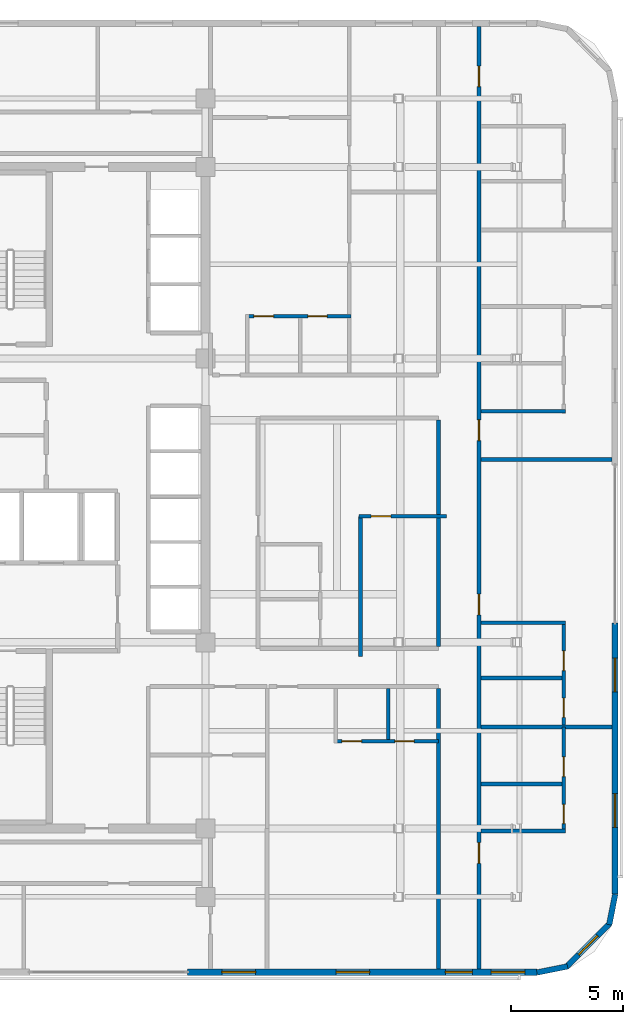
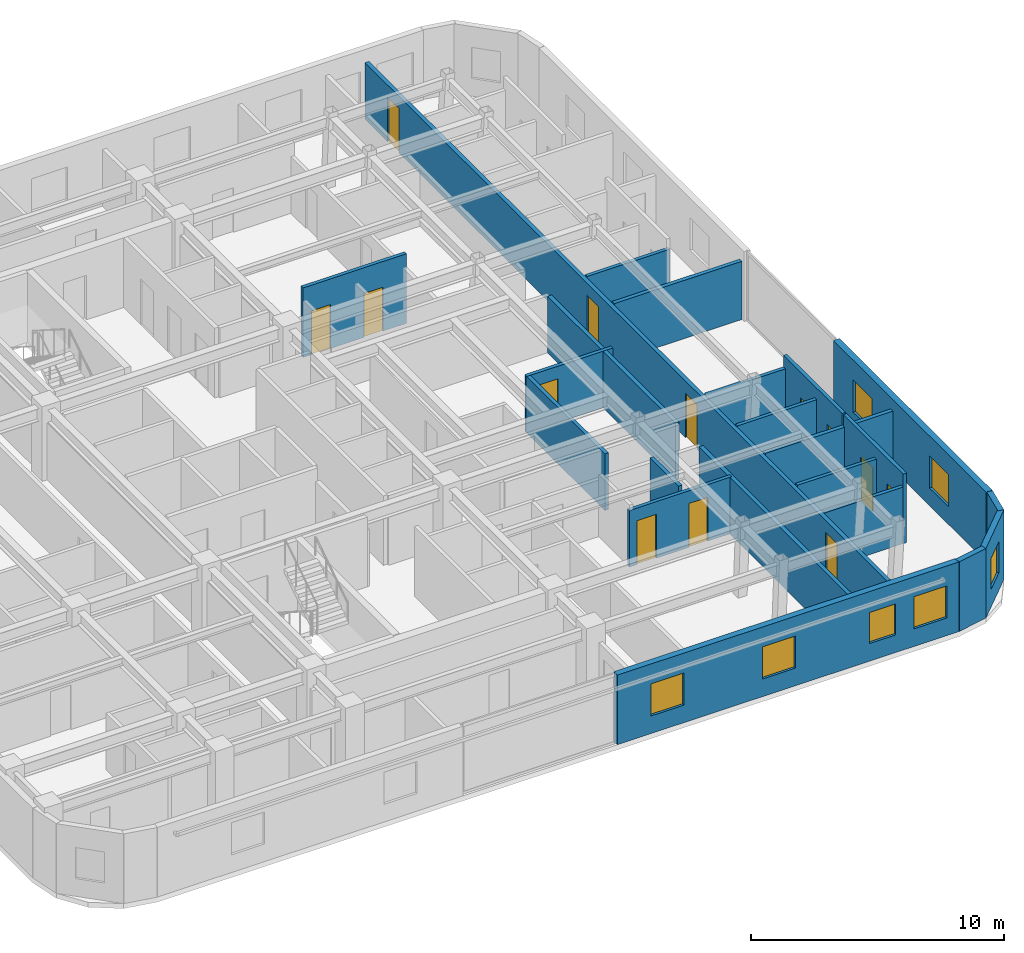
# One storey, part 8 of 14: 22 walls, 13 doors, 7 windows, 20 openings.
"""IFC4 building model written with IfcOpenShell, lengths in metres."""

from ifc_helpers import new_model, si_unit, direction, frame, frame_2d, origin, place, context, subcontext, project, spatial, rectangle, extrude, material, layer, layer_set, type_object, element, fill, save


model = new_model("IFC4")

# Units and contexts
model_context = context("Model", 3, precision=1e-05, world=origin(), true_north=direction((0.0, 1.0)))
body_context = subcontext(model_context, "Body", "Model", "MODEL_VIEW")
ifc_project = project(units=[si_unit("LENGTHUNIT", "METRE"), si_unit("AREAUNIT", "SQUARE_METRE"), si_unit("VOLUMEUNIT", "CUBIC_METRE"), si_unit("PLANEANGLEUNIT", "RADIAN"), si_unit("MASSUNIT", "GRAM", prefix="KILO")], contexts=[model_context])

# Site, building, storey
site_placement = place(None, origin())
site = spatial("IfcSite", under=ifc_project, at=site_placement, CompositionType="ELEMENT")
building_placement = place(site_placement, origin())
building = spatial("IfcBuilding", under=site, at=building_placement, Name="Ochreholt Gables", CompositionType="ELEMENT")
storey_placement = place(building_placement, frame((0.0, 0.0, 109.800048828125)))
storey = spatial("IfcBuildingStorey", under=building, at=storey_placement, Name="L28", CompositionType="ELEMENT", Elevation=109.800048828125)

# Wall, openings, windows
ifc_material_1 = material(Name="Precast concrete 40 MPa", Category="concrete")
ifc_layer_1 = layer(ifc_material_1, 0.280029296875, Name="Precast concrete 40 MPa")
ifc_layer_set_1 = layer_set([ifc_layer_1], Name="Precast concrete 40 MPa")
wall_type_1 = type_object("IfcWallType", Name="WALL-EXT-280", PredefinedType="SOLIDWALL", material=ifc_layer_set_1)
wall_1_placement = place(storey_placement, frame((34.39990234375, 2.840087890625, 0.0), z_axis=(0.0, 0.0, 1.0), x_axis=(1.0, 0.0, 0.0)))
wall_1 = element("IfcWall", 1, at=wall_1_placement, inside=storey, type_object=wall_type_1, Name="L28 South Facade Wall 2", PredefinedType="SOLIDWALL", context=body_context, shape_type="SweptSolid", body=[
    extrude(rectangle(XDim=15.580078125, YDim=0.280029296875, at=frame_2d((7.7900390625, 0.0))), origin(), (0.0, 0.0, 1.0), 3.35986328125),
])
opening_1_placement = place(wall_1_placement, frame((1.534912109375, 0.0, 0.85009765625)))
opening_1 = element("IfcOpeningElement", 2, at=opening_1_placement, cuts=wall_1, Name="Opening WN-2", PredefinedType="OPENING", context=body_context, shape_type="SweptSolid", body=[
    extrude(rectangle(XDim=1.5, YDim=1.550048828125, at=frame_2d((0.75, 0.77490234375))), frame((0.0, 0.14990234375, 0.0), z_axis=(0.0, -1.0, 0.0), x_axis=(1.0, 0.0, 0.0)), (0.0, 0.0, 1.0), 0.300048828125),
])
opening_2_placement = place(wall_1_placement, frame((6.625, 0.0, 0.85009765625)))
opening_2 = element("IfcOpeningElement", 3, at=opening_2_placement, cuts=wall_1, Name="Opening WN-2", PredefinedType="OPENING", context=body_context, shape_type="SweptSolid", body=[
    extrude(rectangle(XDim=1.5, YDim=1.550048828125, at=frame_2d((0.75, 0.77490234375))), frame((0.0, 0.14990234375, 0.0), z_axis=(0.0, -1.0, 0.0), x_axis=(1.0, 0.0, 0.0)), (0.0, 0.0, 1.0), 0.300048828125),
])
opening_3_placement = place(wall_1_placement, frame((11.5, 0.0, 0.85009765625)))
opening_3 = element("IfcOpeningElement", 4, at=opening_3_placement, cuts=wall_1, Name="Opening WN-3", PredefinedType="OPENING", context=body_context, shape_type="SweptSolid", body=[
    extrude(rectangle(XDim=1.199951171875, YDim=1.5, at=frame_2d((0.60009765625, 0.75))), frame((0.0, 0.14990234375, 0.0), z_axis=(0.0, -1.0, 0.0), x_axis=(1.0, 0.0, 0.0)), (0.0, 0.0, 1.0), 0.300048828125),
])
opening_4_placement = place(wall_1_placement, frame((13.5400390625, 0.0, 0.85009765625)))
opening_4 = element("IfcOpeningElement", 5, at=opening_4_placement, cuts=wall_1, Name="Opening WN-2", PredefinedType="OPENING", context=body_context, shape_type="SweptSolid", body=[
    extrude(rectangle(XDim=1.5, YDim=1.550048828125, at=frame_2d((0.75, 0.77490234375))), frame((0.0, 0.14990234375, 0.0), z_axis=(0.0, -1.0, 0.0), x_axis=(1.0, 0.0, 0.0)), (0.0, 0.0, 1.0), 0.300048828125),
])
ifc_material_2 = material(Name="Triple-Glazed Thermally Broken Aluminium Window", Category="aluminium")
window_type_1 = type_object("IfcWindowType", Name="WIN-RES-1200", PartitioningType="SINGLE_PANEL", PredefinedType="WINDOW", material=ifc_material_2)
window_1_placement = place(opening_3_placement, origin())
window_1 = element("IfcWindow", 6, at=window_1_placement, inside=storey, type_object=window_type_1, Name="L28 Window W-EXT-S2-L28-3", OverallHeight=1.5, OverallWidth=1.199951171875, PartitioningType="SINGLE_PANEL", PredefinedType="WINDOW", context=body_context, shape_type="SweptSolid", body=[
    extrude(rectangle(XDim=1.199951171875, YDim=1.5, at=frame_2d((0.60009765625, 0.75))), frame((0.0, 0.030029296875, 0.0), z_axis=(0.0, -1.0, 0.0), x_axis=(1.0, 0.0, 0.0)), (0.0, 0.0, 1.0), 0.06005859375),
])
fill(opening_3, window_1)
window_type_2 = type_object("IfcWindowType", Name="WIN-RES-1500", PartitioningType="SINGLE_PANEL", PredefinedType="WINDOW", material=ifc_material_2)
window_2_placement = place(opening_1_placement, origin())
window_2 = element("IfcWindow", 7, at=window_2_placement, inside=storey, type_object=window_type_2, Name="L28 Window W-EXT-S2-L28-1", OverallHeight=1.550048828125, OverallWidth=1.5, PartitioningType="SINGLE_PANEL", PredefinedType="WINDOW", context=body_context, shape_type="SweptSolid", body=[
    extrude(rectangle(XDim=1.5, YDim=1.550048828125, at=frame_2d((0.75, 0.77490234375))), frame((0.0, 0.030029296875, 0.0), z_axis=(0.0, -1.0, 0.0), x_axis=(1.0, 0.0, 0.0)), (0.0, 0.0, 1.0), 0.06005859375),
])
fill(opening_1, window_2)
window_3_placement = place(opening_2_placement, origin())
window_3 = element("IfcWindow", 8, at=window_3_placement, inside=storey, type_object=window_type_2, Name="L28 Window W-EXT-S2-L28-2", OverallHeight=1.550048828125, OverallWidth=1.5, PartitioningType="SINGLE_PANEL", PredefinedType="WINDOW", context=body_context, shape_type="SweptSolid", body=[
    extrude(rectangle(XDim=1.5, YDim=1.550048828125, at=frame_2d((0.75, 0.77490234375))), frame((0.0, 0.030029296875, 0.0), z_axis=(0.0, -1.0, 0.0), x_axis=(1.0, 0.0, 0.0)), (0.0, 0.0, 1.0), 0.06005859375),
])
fill(opening_2, window_3)
window_4_placement = place(opening_4_placement, origin())
window_4 = element("IfcWindow", 9, at=window_4_placement, inside=storey, type_object=window_type_2, Name="L28 Window W-EXT-S2-L28-4", OverallHeight=1.550048828125, OverallWidth=1.5, PartitioningType="SINGLE_PANEL", PredefinedType="WINDOW", context=body_context, shape_type="SweptSolid", body=[
    extrude(rectangle(XDim=1.5, YDim=1.550048828125, at=frame_2d((0.75, 0.77490234375))), frame((0.0, 0.030029296875, 0.0), z_axis=(0.0, -1.0, 0.0), x_axis=(1.0, 0.0, 0.0)), (0.0, 0.0, 1.0), 0.06005859375),
])
fill(opening_4, window_4)

wall_2_placement = place(storey_placement, frame((53.4599609375, 6.320068359375, 0.0), z_axis=(0.0, 0.0, 1.0), x_axis=(0.0, 1.0, 0.0)))
wall_2 = element("IfcWall", 10, at=wall_2_placement, inside=storey, type_object=wall_type_1, Name="L28 East Facade Wall 1", PredefinedType="SOLIDWALL", context=body_context, shape_type="SweptSolid", body=[
    extrude(rectangle(XDim=12.079833984375, YDim=0.280029296875, at=frame_2d((6.0400390625, 0.0))), origin(), (0.0, 0.0, 1.0), 3.35986328125),
])
opening_5_placement = place(wall_2_placement, frame((2.97802734375, 0.0, 0.85009765625)))
opening_5 = element("IfcOpeningElement", 11, at=opening_5_placement, cuts=wall_2, Name="Opening WN-2", PredefinedType="OPENING", context=body_context, shape_type="SweptSolid", body=[
    extrude(rectangle(XDim=1.5, YDim=1.550048828125, at=frame_2d((0.75, 0.77490234375))), frame((0.0, 0.14990234375, 0.0), z_axis=(0.0, -1.0, 0.0), x_axis=(1.0, 0.0, 0.0)), (0.0, 0.0, 1.0), 0.300048828125),
])
opening_6_placement = place(wall_2_placement, frame((9.01806640625, 0.0, 0.85009765625)))
opening_6 = element("IfcOpeningElement", 12, at=opening_6_placement, cuts=wall_2, Name="Opening WN-2", PredefinedType="OPENING", context=body_context, shape_type="SweptSolid", body=[
    extrude(rectangle(XDim=1.5, YDim=1.550048828125, at=frame_2d((0.75, 0.77490234375))), frame((0.0, 0.14990234375, 0.0), z_axis=(0.0, -1.0, 0.0), x_axis=(1.0, 0.0, 0.0)), (0.0, 0.0, 1.0), 0.300048828125),
])
window_5_placement = place(opening_5_placement, origin())
window_5 = element("IfcWindow", 13, at=window_5_placement, inside=storey, type_object=window_type_2, Name="L28 Window W-EXT-E1-L28-1", OverallHeight=1.550048828125, OverallWidth=1.5, PartitioningType="SINGLE_PANEL", PredefinedType="WINDOW", context=body_context, shape_type="SweptSolid", body=[
    extrude(rectangle(XDim=1.5, YDim=1.550048828125, at=frame_2d((0.75, 0.77490234375))), frame((0.0, 0.030029296875, 0.0), z_axis=(0.0, -1.0, 0.0), x_axis=(1.0, 0.0, 0.0)), (0.0, 0.0, 1.0), 0.06005859375),
])
fill(opening_5, window_5)
window_6_placement = place(opening_6_placement, origin())
window_6 = element("IfcWindow", 14, at=window_6_placement, inside=storey, type_object=window_type_2, Name="L28 Window W-EXT-E1-L28-2", OverallHeight=1.550048828125, OverallWidth=1.5, PartitioningType="SINGLE_PANEL", PredefinedType="WINDOW", context=body_context, shape_type="SweptSolid", body=[
    extrude(rectangle(XDim=1.5, YDim=1.550048828125, at=frame_2d((0.75, 0.77490234375))), frame((0.0, 0.030029296875, 0.0), z_axis=(0.0, -1.0, 0.0), x_axis=(1.0, 0.0, 0.0)), (0.0, 0.0, 1.0), 0.06005859375),
])
fill(opening_6, window_6)

# Wall
ifc_layer_2 = layer(ifc_material_1, 0.25, Name="Precast concrete 40 MPa")
ifc_layer_set_2 = layer_set([ifc_layer_2], Name="Precast concrete 40 MPa")
wall_type_2 = type_object("IfcWallType", Name="WALL-EXT-CNR", PredefinedType="SOLIDWALL", material=ifc_layer_set_2)
wall_3_placement = place(storey_placement, frame((49.9833984375, 2.82421875, 0.0), z_axis=(0.0, 0.0, 1.0), x_axis=(0.980809899341, 0.19496651342, 0.0)))
element("IfcWall", 15, at=wall_3_placement, inside=storey, type_object=wall_type_2, Name="L28 Rounded Corner Wall SE-1", PredefinedType="SOLIDWALL", context=body_context, shape_type="SweptSolid", body=[
    extrude(rectangle(XDim=1.388671875, YDim=0.25, at=frame_2d((0.6943359375, 0.0))), origin(), (0.0, 0.0, 1.0), 3.35986328125),
])

# Wall, opening, window
wall_4_placement = place(storey_placement, frame((51.294921875, 3.068115234375, 0.0), z_axis=(0.0, 0.0, 1.0), x_axis=(0.707151344399, 0.707062215165, 0.0)))
wall_4 = element("IfcWall", 16, at=wall_4_placement, inside=storey, type_object=wall_type_2, Name="L28 Rounded Corner Wall SE-2", PredefinedType="SOLIDWALL", context=body_context, shape_type="SweptSolid", body=[
    extrude(rectangle(XDim=2.7392578125, YDim=0.25, at=frame_2d((1.36962890625, 0.0))), origin(), (0.0, 0.0, 1.0), 3.35986328125),
])
opening_7_placement = place(wall_4_placement, frame((0.769775390625, 0.0, 0.85009765625)))
opening_7 = element("IfcOpeningElement", 17, at=opening_7_placement, cuts=wall_4, Name="Opening WN-3", PredefinedType="OPENING", context=body_context, shape_type="SweptSolid", body=[
    extrude(rectangle(XDim=1.199951171875, YDim=1.5, at=frame_2d((0.60009765625, 0.75))), frame((0.0, 0.135009765625, 0.0), z_axis=(0.0, -1.0, 0.0), x_axis=(1.0, 0.0, 0.0)), (0.0, 0.0, 1.0), 0.27001953125),
])
window_7_placement = place(opening_7_placement, origin())
window_7 = element("IfcWindow", 18, at=window_7_placement, inside=storey, type_object=window_type_1, Name="L28 Corner Bedroom Window SE", OverallHeight=1.5, OverallWidth=1.199951171875, PartitioningType="SINGLE_PANEL", PredefinedType="WINDOW", context=body_context, shape_type="SweptSolid", body=[
    extrude(rectangle(XDim=1.199951171875, YDim=1.5, at=frame_2d((0.60009765625, 0.75))), frame((0.0, 0.030029296875, 0.0), z_axis=(0.0, -1.0, 0.0), x_axis=(1.0, 0.0, 0.0)), (0.0, 0.0, 1.0), 0.06005859375),
])
fill(opening_7, window_7)

# Wall
wall_5_placement = place(storey_placement, frame((53.205078125, 4.95458984375, 0.0), z_axis=(0.0, 0.0, 1.0), x_axis=(0.195000137217, 0.980803214965, 0.0)))
element("IfcWall", 19, at=wall_5_placement, inside=storey, type_object=wall_type_2, Name="L28 Rounded Corner Wall SE-3", PredefinedType="SOLIDWALL", context=body_context, shape_type="SweptSolid", body=[
    extrude(rectangle(XDim=1.388427734375, YDim=0.25, at=frame_2d((0.6943359375, 0.0))), origin(), (0.0, 0.0, 1.0), 3.35986328125),
])

# Wall, openings, doors
ifc_material_3 = material(Name="Fire-Rated Gypsum Acoustic Partition", Category="gypsum")
ifc_layer_3 = layer(ifc_material_3, 0.179931640625, Name="Fire-Rated Gypsum Acoustic Partition")
ifc_layer_set_3 = layer_set([ifc_layer_3], Name="Fire-Rated Gypsum Acoustic Partition")
wall_type_3 = type_object("IfcWallType", Name="WALL-INT-CR180", PredefinedType="STANDARD", material=ifc_layer_set_3)
wall_6_placement = place(storey_placement, frame((47.39990234375, 2.97998046875, 0.0), z_axis=(0.0, 0.0, 1.0), x_axis=(0.0, 1.0, 0.0)))
wall_6 = element("IfcWall", 20, at=wall_6_placement, inside=storey, type_object=wall_type_3, Name="L28 Interior Wall WI-C2FEG-L28", PredefinedType="STANDARD", context=body_context, shape_type="SweptSolid", body=[
    extrude(rectangle(XDim=42.0400390625, YDim=0.179931640625, at=frame_2d((21.02001953125, 0.0))), origin(), (0.0, 0.0, 1.0), 2.73095703125),
])
opening_8_placement = place(wall_6_placement, frame((4.716064453125, 0.0, 0.0)))
opening_8 = element("IfcOpeningElement", 21, at=opening_8_placement, cuts=wall_6, Name="Opening D-UN1", PredefinedType="OPENING", context=body_context, shape_type="SweptSolid", body=[
    extrude(rectangle(XDim=0.919921875, YDim=2.14990234375, at=frame_2d((0.4599609375, 1.074951171875))), frame((0.0, 0.099853515625, 0.0), z_axis=(0.0, -1.0, 0.0), x_axis=(1.0, 0.0, 0.0)), (0.0, 0.0, 1.0), 0.199951171875),
])
opening_9_placement = place(wall_6_placement, frame((15.7958984375, 0.0, 0.0)))
opening_9 = element("IfcOpeningElement", 22, at=opening_9_placement, cuts=wall_6, Name="Opening D-UN1", PredefinedType="OPENING", context=body_context, shape_type="SweptSolid", body=[
    extrude(rectangle(XDim=0.919921875, YDim=2.14990234375, at=frame_2d((0.4599609375, 1.074951171875))), frame((0.0, 0.099853515625, 0.0), z_axis=(0.0, -1.0, 0.0), x_axis=(1.0, 0.0, 0.0)), (0.0, 0.0, 1.0), 0.199951171875),
])
opening_10_placement = place(wall_6_placement, frame((23.56494140625, 0.0, 0.0)))
opening_10 = element("IfcOpeningElement", 23, at=opening_10_placement, cuts=wall_6, Name="Opening D-UN1", PredefinedType="OPENING", context=body_context, shape_type="SweptSolid", body=[
    extrude(rectangle(XDim=0.919921875, YDim=2.14990234375, at=frame_2d((0.4599609375, 1.074951171875))), frame((0.0, 0.099853515625, 0.0), z_axis=(0.0, -1.0, 0.0), x_axis=(1.0, 0.0, 0.0)), (0.0, 0.0, 1.0), 0.199951171875),
])
opening_11_placement = place(wall_6_placement, frame((39.347900390625, 0.0, 0.0)))
opening_11 = element("IfcOpeningElement", 24, at=opening_11_placement, cuts=wall_6, Name="Opening D-UN1", PredefinedType="OPENING", context=body_context, shape_type="SweptSolid", body=[
    extrude(rectangle(XDim=0.919921875, YDim=2.14990234375, at=frame_2d((0.4599609375, 1.074951171875))), frame((0.0, 0.099853515625, 0.0), z_axis=(0.0, -1.0, 0.0), x_axis=(1.0, 0.0, 0.0)), (0.0, 0.0, 1.0), 0.199951171875),
])
ifc_material_4 = material(Name="Engineered Oak Timber", Category="wood")
door_type_1 = type_object("IfcDoorType", Name="DR-INT-UNT920", OperationType="NOTDEFINED", PredefinedType="DOOR", material=ifc_material_4)
door_1_placement = place(opening_8_placement, origin())
door_1 = element("IfcDoor", 25, at=door_1_placement, inside=storey, type_object=door_type_1, Name="L28 Door D-U-L28FE1-ENT", OperationType="SINGLE_SWING_LEFT", OverallHeight=2.14990234375, OverallWidth=0.919921875, PredefinedType="DOOR", context=body_context, shape_type="SweptSolid", body=[
    extrude(rectangle(XDim=0.919921875, YDim=2.14990234375, at=frame_2d((0.4599609375, 1.074951171875))), frame((0.0, 0.02490234375, 0.0), z_axis=(0.0, -1.0, 0.0), x_axis=(1.0, 0.0, 0.0)), (0.0, 0.0, 1.0), 0.050048828125),
])
fill(opening_8, door_1)
door_2_placement = place(opening_9_placement, origin())
door_2 = element("IfcDoor", 26, at=door_2_placement, inside=storey, type_object=door_type_1, Name="L28 Door D-U-L28FE2-ENT", OperationType="SINGLE_SWING_RIGHT", OverallHeight=2.14990234375, OverallWidth=0.919921875, PredefinedType="DOOR", context=body_context, shape_type="SweptSolid", body=[
    extrude(rectangle(XDim=0.919921875, YDim=2.14990234375, at=frame_2d((0.4599609375, 1.074951171875))), frame((0.0, 0.02490234375, 0.0), z_axis=(0.0, -1.0, 0.0), x_axis=(1.0, 0.0, 0.0)), (0.0, 0.0, 1.0), 0.050048828125),
])
fill(opening_9, door_2)
door_3_placement = place(opening_10_placement, origin())
door_3 = element("IfcDoor", 27, at=door_3_placement, inside=storey, type_object=door_type_1, Name="L28 Door D-U-L28FE3-ENT", OperationType="SINGLE_SWING_LEFT", OverallHeight=2.14990234375, OverallWidth=0.919921875, PredefinedType="DOOR", context=body_context, shape_type="SweptSolid", body=[
    extrude(rectangle(XDim=0.919921875, YDim=2.14990234375, at=frame_2d((0.4599609375, 1.074951171875))), frame((0.0, 0.02490234375, 0.0), z_axis=(0.0, -1.0, 0.0), x_axis=(1.0, 0.0, 0.0)), (0.0, 0.0, 1.0), 0.050048828125),
])
fill(opening_10, door_3)
door_4_placement = place(opening_11_placement, origin())
door_4 = element("IfcDoor", 28, at=door_4_placement, inside=storey, type_object=door_type_1, Name="L28 Door D-U-L28FE4-ENT", OperationType="SINGLE_SWING_RIGHT", OverallHeight=2.14990234375, OverallWidth=0.919921875, PredefinedType="DOOR", context=body_context, shape_type="SweptSolid", body=[
    extrude(rectangle(XDim=0.919921875, YDim=2.14990234375, at=frame_2d((0.4599609375, 1.074951171875))), frame((0.0, 0.02490234375, 0.0), z_axis=(0.0, -1.0, 0.0), x_axis=(1.0, 0.0, 0.0)), (0.0, 0.0, 1.0), 0.050048828125),
])
fill(opening_11, door_4)

# Walls
wall_7_placement = place(storey_placement, frame((45.60009765625, 2.97998046875, 0.0), z_axis=(0.0, 0.0, 1.0), x_axis=(0.0, 1.0, 0.0)))
element("IfcWall", 29, at=wall_7_placement, inside=storey, type_object=wall_type_3, Name="L28 Interior Wall WI-C2FEGW1-L28", PredefinedType="STANDARD", context=body_context, shape_type="SweptSolid", body=[
    extrude(rectangle(XDim=12.510009765625, YDim=0.179931640625, at=frame_2d((6.2548828125, 0.0))), origin(), (0.0, 0.0, 1.0), 2.73095703125),
])
wall_8_placement = place(storey_placement, frame((45.60009765625, 17.3701171875, 0.0), z_axis=(0.0, 0.0, 1.0), x_axis=(0.0, 1.0, 0.0)))
element("IfcWall", 30, at=wall_8_placement, inside=storey, type_object=wall_type_3, Name="L28 Interior Wall WI-C2FEGW2-L28", PredefinedType="STANDARD", context=body_context, shape_type="SweptSolid", body=[
    extrude(rectangle(XDim=10.099853515625, YDim=0.179931640625, at=frame_2d((5.0498046875, 0.0))), origin(), (0.0, 0.0, 1.0), 2.73095703125),
])
ifc_material_5 = material(Name="Double-Stud Acoustic Demising Wall", Category="gypsum")
ifc_layer_4 = layer(ifc_material_5, 0.179931640625, Name="Double-Stud Acoustic Demising Wall")
ifc_layer_set_4 = layer_set([ifc_layer_4], Name="Double-Stud Acoustic Demising Wall")
wall_type_4 = type_object("IfcWallType", Name="WALL-INT-DM180", PredefinedType="PARTITIONING", material=ifc_layer_set_4)
for number, where, z_axis, x_axis, name in (
    (31, (47.489990234375, 13.77587890625, 0.0), (0.0, 0.0, 1.0), (1.0, 0.0, 0.0), "L28 Interior Wall WI-C2FED2-L28"),
    (32, (47.489990234375, 25.7041015625, 0.0), (0.0, 0.0, 1.0), (1.0, 0.0, 0.0), "L28 Interior Wall WI-C2FED3-L28"),
):
    element("IfcWall", number, at=place(storey_placement, frame(where, z_axis=z_axis, x_axis=x_axis)), inside=storey, type_object=wall_type_4, Name=name, PredefinedType="PARTITIONING", context=body_context, shape_type="SweptSolid", body=[
        extrude(rectangle(XDim=5.830078125, YDim=0.179931640625, at=frame_2d((2.9150390625, 0.0))), origin(), (0.0, 0.0, 1.0), 2.808837890625),
    ])

# Wall, openings, doors
ifc_material_6 = material(Name="Moisture-Resistant Plumbing Chase Wall", Category="gypsum")
ifc_layer_5 = layer(ifc_material_6, 0.159912109375, Name="Moisture-Resistant Plumbing Chase Wall")
ifc_layer_set_5 = layer_set([ifc_layer_5], Name="Moisture-Resistant Plumbing Chase Wall")
wall_type_5 = type_object("IfcWallType", Name="WALL-INT-PL160", PredefinedType="PLUMBINGWALL", material=ifc_layer_set_5)
wall_9_placement = place(storey_placement, frame((40.929931640625, 13.139892578125, 0.0), z_axis=(0.0, 0.0, 1.0), x_axis=(1.0, 0.0, 0.0)))
wall_9 = element("IfcWall", 33, at=wall_9_placement, inside=storey, type_object=wall_type_5, Name="L28 Interior Wall WU-L28S1-WY", PredefinedType="PLUMBINGWALL", context=body_context, shape_type="SweptSolid", body=[
    extrude(rectangle(XDim=4.670166015625, YDim=0.159912109375, at=frame_2d((2.3349609375, 0.0))), origin(), (0.0, 0.0, 1.0), 2.73095703125),
])
opening_12_placement = place(wall_9_placement, frame((0.35009765625, 0.0, 0.0)))
opening_12 = element("IfcOpeningElement", 34, at=opening_12_placement, cuts=wall_9, Name="Opening D-GN2", PredefinedType="OPENING", context=body_context, shape_type="SweptSolid", body=[
    extrude(rectangle(XDim=0.8798828125, YDim=2.1201171875, at=frame_2d((0.43994140625, 1.06005859375))), frame((0.0, 0.08984375, 0.0), z_axis=(0.0, -1.0, 0.0), x_axis=(1.0, 0.0, 0.0)), (0.0, 0.0, 1.0), 0.179931640625),
])
opening_13_placement = place(wall_9_placement, frame((2.719970703125, 0.0, 0.0)))
opening_13 = element("IfcOpeningElement", 35, at=opening_13_placement, cuts=wall_9, Name="Opening D-BT1", PredefinedType="OPENING", context=body_context, shape_type="SweptSolid", body=[
    extrude(rectangle(XDim=0.860107421875, YDim=2.1201171875, at=frame_2d((0.43017578125, 1.06005859375))), frame((0.0, 0.08984375, 0.0), z_axis=(0.0, -1.0, 0.0), x_axis=(1.0, 0.0, 0.0)), (0.0, 0.0, 1.0), 0.179931640625),
])
door_type_2 = type_object("IfcDoorType", Name="DR-INT-BTH860", OperationType="NOTDEFINED", PredefinedType="DOOR", material=ifc_material_4)
door_5_placement = place(opening_13_placement, origin())
door_5 = element("IfcDoor", 36, at=door_5_placement, inside=storey, type_object=door_type_2, Name="L28 Door D-U-L28S1-BTH", OperationType="SINGLE_SWING_RIGHT", OverallHeight=2.1201171875, OverallWidth=0.860107421875, PredefinedType="DOOR", context=body_context, shape_type="SweptSolid", body=[
    extrude(rectangle(XDim=0.860107421875, YDim=2.1201171875, at=frame_2d((0.43017578125, 1.06005859375))), frame((0.0, 0.02490234375, 0.0), z_axis=(0.0, -1.0, 0.0), x_axis=(1.0, 0.0, 0.0)), (0.0, 0.0, 1.0), 0.050048828125),
])
fill(opening_13, door_5)
door_type_3 = type_object("IfcDoorType", Name="DR-INT-GEN880", OperationType="NOTDEFINED", PredefinedType="DOOR", material=ifc_material_4)
door_6_placement = place(opening_12_placement, origin())
door_6 = element("IfcDoor", 37, at=door_6_placement, inside=storey, type_object=door_type_3, Name="L28 Door D-U-L28S1-KIT", OperationType="SINGLE_SWING_LEFT", OverallHeight=2.1201171875, OverallWidth=0.8798828125, PredefinedType="DOOR", context=body_context, shape_type="SweptSolid", body=[
    extrude(rectangle(XDim=0.8798828125, YDim=2.1201171875, at=frame_2d((0.43994140625, 1.06005859375))), frame((0.0, 0.02490234375, 0.0), z_axis=(0.0, -1.0, 0.0), x_axis=(1.0, 0.0, 0.0)), (0.0, 0.0, 1.0), 0.050048828125),
])
fill(opening_12, door_6)

# Wall
wall_10_placement = place(storey_placement, frame((43.35009765625, 13.219970703125, 0.0), z_axis=(0.0, 0.0, 1.0), x_axis=(0.0, 1.0, 0.0)))
element("IfcWall", 38, at=wall_10_placement, inside=storey, type_object=wall_type_5, Name="L28 Interior Wall WU-L28S1-WK", PredefinedType="PLUMBINGWALL", context=body_context, shape_type="SweptSolid", body=[
    extrude(rectangle(XDim=2.27001953125, YDim=0.159912109375, at=frame_2d((1.135009765625, 0.0))), origin(), (0.0, 0.0, 1.0), 2.988037109375),
])

# Wall, openings, doors
wall_11_placement = place(storey_placement, frame((36.97998046875, 32.094970703125, 0.0), z_axis=(0.0, 0.0, 1.0), x_axis=(1.0, 0.0, 0.0)))
wall_11 = element("IfcWall", 39, at=wall_11_placement, inside=storey, type_object=wall_type_5, Name="L28 Interior Wall WU-L28N1-WY", PredefinedType="PLUMBINGWALL", context=body_context, shape_type="SweptSolid", body=[
    extrude(rectangle(XDim=4.7099609375, YDim=0.159912109375, at=frame_2d((2.35498046875, 0.0))), origin(), (0.0, 0.0, 1.0), 3.35986328125),
])
opening_14_placement = place(wall_11_placement, frame((0.3798828125, 0.0, 0.0)))
opening_14 = element("IfcOpeningElement", 40, at=opening_14_placement, cuts=wall_11, Name="Opening D-GN2", PredefinedType="OPENING", context=body_context, shape_type="SweptSolid", body=[
    extrude(rectangle(XDim=0.8798828125, YDim=2.1201171875, at=frame_2d((0.43994140625, 1.06005859375))), frame((0.0, 0.08984375, 0.0), z_axis=(0.0, -1.0, 0.0), x_axis=(1.0, 0.0, 0.0)), (0.0, 0.0, 1.0), 0.179931640625),
])
opening_15_placement = place(wall_11_placement, frame((2.785888671875, 0.0, 0.0)))
opening_15 = element("IfcOpeningElement", 41, at=opening_15_placement, cuts=wall_11, Name="Opening D-BT1", PredefinedType="OPENING", context=body_context, shape_type="SweptSolid", body=[
    extrude(rectangle(XDim=0.860107421875, YDim=2.1201171875, at=frame_2d((0.43017578125, 1.06005859375))), frame((0.0, 0.08984375, 0.0), z_axis=(0.0, -1.0, 0.0), x_axis=(1.0, 0.0, 0.0)), (0.0, 0.0, 1.0), 0.179931640625),
])
door_7_placement = place(opening_15_placement, origin())
door_7 = element("IfcDoor", 42, at=door_7_placement, inside=storey, type_object=door_type_2, Name="L28 Door D-U-L28N1-BTH", OperationType="SINGLE_SWING_LEFT", OverallHeight=2.1201171875, OverallWidth=0.860107421875, PredefinedType="DOOR", context=body_context, shape_type="SweptSolid", body=[
    extrude(rectangle(XDim=0.860107421875, YDim=2.1201171875, at=frame_2d((0.43017578125, 1.06005859375))), frame((0.0, 0.02490234375, 0.0), z_axis=(0.0, -1.0, 0.0), x_axis=(1.0, 0.0, 0.0)), (0.0, 0.0, 1.0), 0.050048828125),
])
fill(opening_15, door_7)
door_8_placement = place(opening_14_placement, origin())
door_8 = element("IfcDoor", 43, at=door_8_placement, inside=storey, type_object=door_type_3, Name="L28 Door D-U-L28N1-KIT", OperationType="SINGLE_SWING_RIGHT", OverallHeight=2.1201171875, OverallWidth=0.8798828125, PredefinedType="DOOR", context=body_context, shape_type="SweptSolid", body=[
    extrude(rectangle(XDim=0.8798828125, YDim=2.1201171875, at=frame_2d((0.43994140625, 1.06005859375))), frame((0.0, 0.02490234375, 0.0), z_axis=(0.0, -1.0, 0.0), x_axis=(1.0, 0.0, 0.0)), (0.0, 0.0, 1.0), 0.050048828125),
])
fill(opening_14, door_8)

# Wall
wall_12_placement = place(storey_placement, frame((47.489990234375, 9.135986328125, 0.0), z_axis=(0.0, 0.0, 1.0), x_axis=(1.0, 0.0, 0.0)))
element("IfcWall", 44, at=wall_12_placement, inside=storey, type_object=wall_type_5, Name="L28 Interior Wall WU-L28FE1-WYS", PredefinedType="PLUMBINGWALL", context=body_context, shape_type="SweptSolid", body=[
    extrude(rectangle(XDim=3.775146484375, YDim=0.159912109375, at=frame_2d((1.8876953125, 0.0))), origin(), (0.0, 0.0, 1.0), 2.73095703125),
])

# Wall, openings, doors
wall_13_placement = place(storey_placement, frame((51.185302734375, 9.0458984375, 0.0), z_axis=(0.0, 0.0, 1.0), x_axis=(0.0, 1.0, 0.0)))
wall_13 = element("IfcWall", 45, at=wall_13_placement, inside=storey, type_object=wall_type_5, Name="L28 Interior Wall WU-L28FE1-WX", PredefinedType="PLUMBINGWALL", context=body_context, shape_type="SweptSolid", body=[
    extrude(rectangle(XDim=4.72998046875, YDim=0.159912109375, at=frame_2d((2.364990234375, 0.0))), origin(), (0.0, 0.0, 1.0), 3.35986328125),
])
opening_16_placement = place(wall_13_placement, frame((0.419921875, 0.0, 0.0)))
opening_16 = element("IfcOpeningElement", 46, at=opening_16_placement, cuts=wall_13, Name="Opening D-BT1", PredefinedType="OPENING", context=body_context, shape_type="SweptSolid", body=[
    extrude(rectangle(XDim=0.860107421875, YDim=2.1201171875, at=frame_2d((0.43017578125, 1.06005859375))), frame((0.0, 0.08984375, 0.0), z_axis=(0.0, -1.0, 0.0), x_axis=(1.0, 0.0, 0.0)), (0.0, 0.0, 1.0), 0.179931640625),
])
opening_17_placement = place(wall_13_placement, frame((2.512939453125, 0.0, 0.0)))
opening_17 = element("IfcOpeningElement", 47, at=opening_17_placement, cuts=wall_13, Name="Opening D-GN2", PredefinedType="OPENING", context=body_context, shape_type="SweptSolid", body=[
    extrude(rectangle(XDim=0.8798828125, YDim=2.1201171875, at=frame_2d((0.43994140625, 1.06005859375))), frame((0.0, 0.08984375, 0.0), z_axis=(0.0, -1.0, 0.0), x_axis=(1.0, 0.0, 0.0)), (0.0, 0.0, 1.0), 0.179931640625),
])
door_9_placement = place(opening_16_placement, origin())
door_9 = element("IfcDoor", 48, at=door_9_placement, inside=storey, type_object=door_type_2, Name="L28 Door D-U-L28FE1-BTH", OperationType="SINGLE_SWING_RIGHT", OverallHeight=2.1201171875, OverallWidth=0.860107421875, PredefinedType="DOOR", context=body_context, shape_type="SweptSolid", body=[
    extrude(rectangle(XDim=0.860107421875, YDim=2.1201171875, at=frame_2d((0.43017578125, 1.06005859375))), frame((0.0, 0.02490234375, 0.0), z_axis=(0.0, -1.0, 0.0), x_axis=(1.0, 0.0, 0.0)), (0.0, 0.0, 1.0), 0.050048828125),
])
fill(opening_16, door_9)
door_10_placement = place(opening_17_placement, origin())
door_10 = element("IfcDoor", 49, at=door_10_placement, inside=storey, type_object=door_type_3, Name="L28 Door D-U-L28FE1-KIT", OperationType="SINGLE_SWING_LEFT", OverallHeight=2.1201171875, OverallWidth=0.8798828125, PredefinedType="DOOR", context=body_context, shape_type="SweptSolid", body=[
    extrude(rectangle(XDim=0.8798828125, YDim=2.1201171875, at=frame_2d((0.43994140625, 1.06005859375))), frame((0.0, 0.02490234375, 0.0), z_axis=(0.0, -1.0, 0.0), x_axis=(1.0, 0.0, 0.0)), (0.0, 0.0, 1.0), 0.050048828125),
])
fill(opening_17, door_10)

# Walls
wall_14_placement = place(storey_placement, frame((47.489990234375, 11.22900390625, 0.0), z_axis=(0.0, 0.0, 1.0), x_axis=(1.0, 0.0, 0.0)))
element("IfcWall", 50, at=wall_14_placement, inside=storey, type_object=wall_type_5, Name="L28 Interior Wall WU-L28FE1-WM", PredefinedType="PLUMBINGWALL", context=body_context, shape_type="SweptSolid", body=[
    extrude(rectangle(XDim=3.615234375, YDim=0.159912109375, at=frame_2d((1.8076171875, 0.0))), origin(), (0.0, 0.0, 1.0), 2.808837890625),
])
wall_15_placement = place(storey_placement, frame((47.489990234375, 18.416015625, 0.0), z_axis=(0.0, 0.0, 1.0), x_axis=(1.0, 0.0, 0.0)))
element("IfcWall", 51, at=wall_15_placement, inside=storey, type_object=wall_type_5, Name="L28 Interior Wall WU-L28FE2-WYN", PredefinedType="PLUMBINGWALL", context=body_context, shape_type="SweptSolid", body=[
    extrude(rectangle(XDim=3.775146484375, YDim=0.159912109375, at=frame_2d((1.8876953125, 0.0))), origin(), (0.0, 0.0, 1.0), 2.808837890625),
])

# Wall, openings, doors
wall_16_placement = place(storey_placement, frame((51.185302734375, 13.865966796875, 0.0), z_axis=(0.0, 0.0, 1.0), x_axis=(0.0, 1.0, 0.0)))
wall_16 = element("IfcWall", 52, at=wall_16_placement, inside=storey, type_object=wall_type_5, Name="L28 Interior Wall WU-L28FE2-WX", PredefinedType="PLUMBINGWALL", context=body_context, shape_type="SweptSolid", body=[
    extrude(rectangle(XDim=4.64013671875, YDim=0.159912109375, at=frame_2d((2.320068359375, 0.0))), origin(), (0.0, 0.0, 1.0), 3.35986328125),
])
opening_18_placement = place(wall_16_placement, frame((0.330078125, 0.0, 0.0)))
opening_18 = element("IfcOpeningElement", 53, at=opening_18_placement, cuts=wall_16, Name="Opening D-BT1", PredefinedType="OPENING", context=body_context, shape_type="SweptSolid", body=[
    extrude(rectangle(XDim=0.860107421875, YDim=2.1201171875, at=frame_2d((0.43017578125, 1.06005859375))), frame((0.0, 0.08984375, 0.0), z_axis=(0.0, -1.0, 0.0), x_axis=(1.0, 0.0, 0.0)), (0.0, 0.0, 1.0), 0.179931640625),
])
opening_19_placement = place(wall_16_placement, frame((2.423095703125, 0.0, 0.0)))
opening_19 = element("IfcOpeningElement", 54, at=opening_19_placement, cuts=wall_16, Name="Opening D-GN2", PredefinedType="OPENING", context=body_context, shape_type="SweptSolid", body=[
    extrude(rectangle(XDim=0.8798828125, YDim=2.1201171875, at=frame_2d((0.43994140625, 1.06005859375))), frame((0.0, 0.08984375, 0.0), z_axis=(0.0, -1.0, 0.0), x_axis=(1.0, 0.0, 0.0)), (0.0, 0.0, 1.0), 0.179931640625),
])
door_11_placement = place(opening_18_placement, origin())
door_11 = element("IfcDoor", 55, at=door_11_placement, inside=storey, type_object=door_type_2, Name="L28 Door D-U-L28FE2-BTH", OperationType="SINGLE_SWING_LEFT", OverallHeight=2.1201171875, OverallWidth=0.860107421875, PredefinedType="DOOR", context=body_context, shape_type="SweptSolid", body=[
    extrude(rectangle(XDim=0.860107421875, YDim=2.1201171875, at=frame_2d((0.43017578125, 1.06005859375))), frame((0.0, 0.02490234375, 0.0), z_axis=(0.0, -1.0, 0.0), x_axis=(1.0, 0.0, 0.0)), (0.0, 0.0, 1.0), 0.050048828125),
])
fill(opening_18, door_11)
door_12_placement = place(opening_19_placement, origin())
door_12 = element("IfcDoor", 56, at=door_12_placement, inside=storey, type_object=door_type_3, Name="L28 Door D-U-L28FE2-KIT", OperationType="SINGLE_SWING_RIGHT", OverallHeight=2.1201171875, OverallWidth=0.8798828125, PredefinedType="DOOR", context=body_context, shape_type="SweptSolid", body=[
    extrude(rectangle(XDim=0.8798828125, YDim=2.1201171875, at=frame_2d((0.43994140625, 1.06005859375))), frame((0.0, 0.02490234375, 0.0), z_axis=(0.0, -1.0, 0.0), x_axis=(1.0, 0.0, 0.0)), (0.0, 0.0, 1.0), 0.050048828125),
])
fill(opening_19, door_12)

# Walls
wall_17_placement = place(storey_placement, frame((47.489990234375, 15.958984375, 0.0), z_axis=(0.0, 0.0, 1.0), x_axis=(1.0, 0.0, 0.0)))
element("IfcWall", 57, at=wall_17_placement, inside=storey, type_object=wall_type_5, Name="L28 Interior Wall WU-L28FE2-WM", PredefinedType="PLUMBINGWALL", context=body_context, shape_type="SweptSolid", body=[
    extrude(rectangle(XDim=3.615234375, YDim=0.159912109375, at=frame_2d((1.8076171875, 0.0))), origin(), (0.0, 0.0, 1.0), 2.808837890625),
])
wall_18_placement = place(storey_placement, frame((47.489990234375, 27.844970703125, 0.0), z_axis=(0.0, 0.0, 1.0), x_axis=(1.0, 0.0, 0.0)))
element("IfcWall", 58, at=wall_18_placement, inside=storey, type_object=wall_type_5, Name="L28 Interior Wall WU-L28FE3-FYS", PredefinedType="PLUMBINGWALL", context=body_context, shape_type="SweptSolid", body=[
    extrude(rectangle(XDim=3.775146484375, YDim=0.159912109375, at=frame_2d((1.8876953125, 0.0))), origin(), (0.0, 0.0, 1.0), 2.808837890625),
])
ifc_material_7 = material(Name="Gypsum Acoustic Stud Partition", Category="gypsum")
ifc_layer_6 = layer(ifc_material_7, 0.1650390625, Name="Gypsum Acoustic Stud Partition")
ifc_layer_set_6 = layer_set([ifc_layer_6], Name="Gypsum Acoustic Stud Partition")
wall_type_6 = type_object("IfcWallType", Name="WALL-INT-PT165", PredefinedType="PARTITIONING", material=ifc_layer_set_6)
wall_19_placement = place(storey_placement, frame((42.117919921875, 16.919921875, 0.0), z_axis=(0.0, 0.0, 1.0), x_axis=(0.0, 1.0, 0.0)))
element("IfcWall", 59, at=wall_19_placement, inside=storey, type_object=wall_type_6, Name="L28 Interior Wall WU-L28M1-STW", PredefinedType="PARTITIONING", context=body_context, shape_type="SweptSolid", body=[
    extrude(rectangle(XDim=6.25, YDim=0.1650390625, at=frame_2d((3.125, 0.0))), origin(), (0.0, 0.0, 1.0), 2.73095703125),
])

# Wall, opening, door
wall_20_placement = place(storey_placement, frame((42.0380859375, 23.169921875, 0.0), z_axis=(0.0, 0.0, 1.0), x_axis=(1.0, 0.0, 0.0)))
wall_20 = element("IfcWall", 60, at=wall_20_placement, inside=storey, type_object=wall_type_6, Name="L28 Interior Wall WU-L28M1-STN", PredefinedType="PARTITIONING", context=body_context, shape_type="SweptSolid", body=[
    extrude(rectangle(XDim=3.921875, YDim=0.1650390625, at=frame_2d((1.9609375, 0.0))), origin(), (0.0, 0.0, 1.0), 2.73095703125),
])
opening_20_placement = place(wall_20_placement, frame((0.550048828125, 0.0, 0.0)))
opening_20 = element("IfcOpeningElement", 61, at=opening_20_placement, cuts=wall_20, Name="Opening D-GN2", PredefinedType="OPENING", context=body_context, shape_type="SweptSolid", body=[
    extrude(rectangle(XDim=0.8798828125, YDim=2.1201171875, at=frame_2d((0.43994140625, 1.06005859375))), frame((0.0, 0.092529296875, 0.0), z_axis=(0.0, -1.0, 0.0), x_axis=(1.0, 0.0, 0.0)), (0.0, 0.0, 1.0), 0.18505859375),
])
door_13_placement = place(opening_20_placement, origin())
door_13 = element("IfcDoor", 62, at=door_13_placement, inside=storey, type_object=door_type_3, Name="L28 Door D-U-L28M1-STD", OperationType="SINGLE_SWING_LEFT", OverallHeight=2.1201171875, OverallWidth=0.8798828125, PredefinedType="DOOR", context=body_context, shape_type="SweptSolid", body=[
    extrude(rectangle(XDim=0.8798828125, YDim=2.1201171875, at=frame_2d((0.43994140625, 1.06005859375))), frame((0.0, 0.02490234375, 0.0), z_axis=(0.0, -1.0, 0.0), x_axis=(1.0, 0.0, 0.0)), (0.0, 0.0, 1.0), 0.050048828125),
])
fill(opening_20, door_13)

save(model, "model.ifc")
